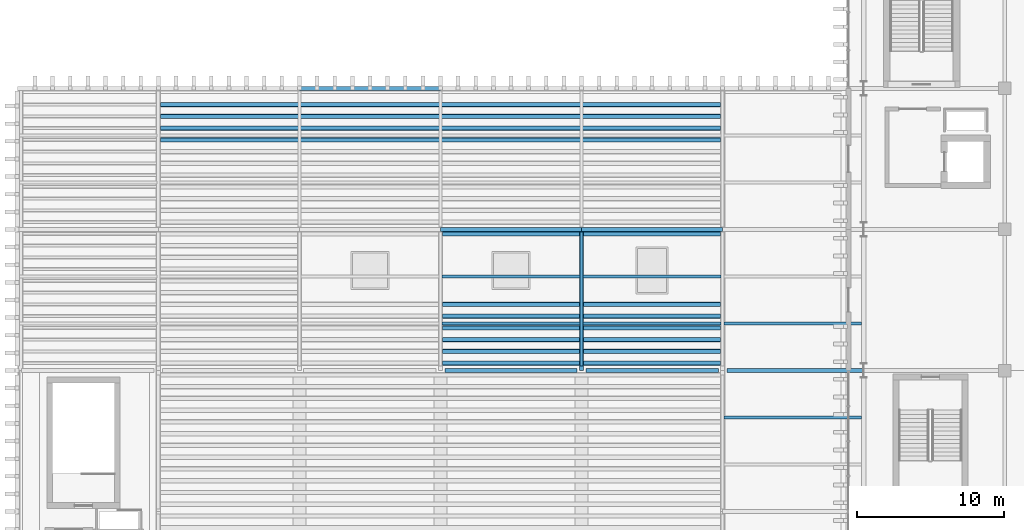
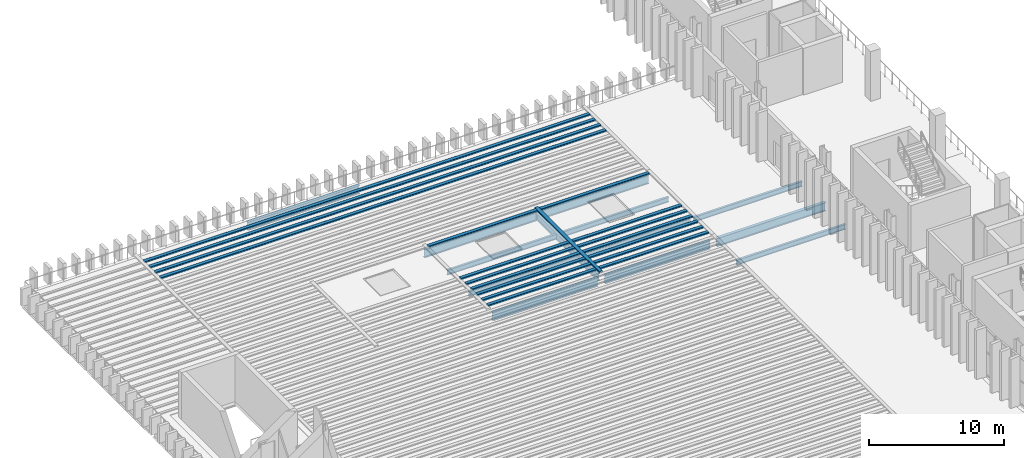
# One storey, part 15 of 92: 19 members, 13 beams.
"""IFC4 building model written with IfcOpenShell, lengths in metres."""

import ifcopenshell
import ifcopenshell.guid

model = None  # the IFC model being written
_history = None  # IfcOwnerHistory: only IFC2X3 demands one
_inside = {}  # id of a spatial element -> (the spatial element, [elements in it])
_under = {}  # id of a project, library or spatial element -> (it, [spatial elements below it])
_declared = {}  # id of a project -> (the project, [libraries it declares])
_typed = {}  # id of a type object -> (the type object, [elements of that type])
_made_of = {}  # id of a material, layer set ... -> (it, [elements and type objects made of it])


def new_model(schema):
    """Start an empty IFC model of exactly this schema.

    Asked for "IFC4X3", IfcOpenShell would pick the latest addendum, in which some entities
    have other attributes; the version numbers below select the first issue.
    IFC2X3 requires an IfcOwnerHistory on every rooted entity: one is made here for all.
    """
    global model, _history
    if schema == "IFC4X3":
        model = ifcopenshell.file(schema_version=(4, 3, 0, 0))
    else:
        model = ifcopenshell.file(schema=schema)
    _inside.clear()
    _under.clear()
    _declared.clear()
    _typed.clear()
    _made_of.clear()
    _history = None
    if model.schema == "IFC2X3":
        org = make("IfcOrganization", Name="unknown")
        user = make(
            "IfcPersonAndOrganization",
            ThePerson=make("IfcPerson", FamilyName="unknown"),
            TheOrganization=org,
        )
        app = make(
            "IfcApplication",
            ApplicationDeveloper=org,
            Version="unknown",
            ApplicationFullName="unknown",
            ApplicationIdentifier="unknown",
        )
        _history = make(
            "IfcOwnerHistory",
            OwningUser=user,
            OwningApplication=app,
            ChangeAction="ADDED",
            CreationDate=0,
        )
    return model


def make(cls, **values):
    """One entity of the class cls with the attributes given. An attribute that is None is left unset."""
    return model.create_entity(
        cls, **{name: value for name, value in values.items() if value is not None}
    )


def rooted(cls, **values):
    """An entity with a GlobalId (a new one), such as an element, a storey or a relation."""
    return make(cls, GlobalId=ifcopenshell.guid.new(), OwnerHistory=_history, **values)


def si_unit(unit_type, name, prefix=None):
    """IfcSIUnit, for example si_unit("LENGTHUNIT", "METRE", prefix="MILLI")."""
    return make("IfcSIUnit", UnitType=unit_type, Prefix=prefix, Name=name)


def assignment(units):
    """IfcUnitAssignment: the units of a project."""
    return None if units is None else make("IfcUnitAssignment", Units=units)


def point(xyz):
    """IfcCartesianPoint."""
    return None if xyz is None else make("IfcCartesianPoint", Coordinates=xyz)


def direction(xyz):
    """IfcDirection."""
    return None if xyz is None else make("IfcDirection", DirectionRatios=xyz)


def frame(location, z_axis=None, x_axis=None):
    """IfcAxis2Placement3D, a coordinate frame: its origin and axes. An axis left out is left unset."""
    return make(
        "IfcAxis2Placement3D",
        Location=point(location),
        Axis=direction(z_axis),
        RefDirection=direction(x_axis),
    )


def frame_2d(location, x_axis=None):
    """IfcAxis2Placement2D, a coordinate frame in the plane: its origin and x axis."""
    return make(
        "IfcAxis2Placement2D", Location=point(location), RefDirection=direction(x_axis)
    )


def origin():
    """The frame at (0, 0, 0) with its axes left unset."""
    return frame((0.0, 0.0, 0.0))


def origin_2d():
    """The frame at (0, 0) in the plane with its x axis left unset."""
    return frame_2d((0.0, 0.0))


def place(relative_to, where):
    """IfcLocalPlacement: puts the frame where relative to a parent placement (None: the world)."""
    return make(
        "IfcLocalPlacement", PlacementRelTo=relative_to, RelativePlacement=where
    )


def context(
    kind, dimensions, precision=None, world=None, true_north=None, identifier=None
):
    """IfcGeometricRepresentationContext, for example the 3D "Model" context."""
    return make(
        "IfcGeometricRepresentationContext",
        ContextIdentifier=identifier,
        ContextType=kind,
        CoordinateSpaceDimension=dimensions,
        Precision=precision,
        WorldCoordinateSystem=world,
        TrueNorth=true_north,
    )


def subcontext(parent, identifier, kind, view, scale=None):
    """IfcGeometricRepresentationSubContext, for example "Body" below "Model"."""
    return make(
        "IfcGeometricRepresentationSubContext",
        ContextIdentifier=identifier,
        ContextType=kind,
        ParentContext=parent,
        TargetScale=scale,
        TargetView=view,
    )


def project(units=None, contexts=None):
    """IfcProject with its units and contexts."""
    return rooted(
        "IfcProject",
        Name="project",
        RepresentationContexts=contexts,
        UnitsInContext=assignment(units),
    )


def spatial(cls, under=None, at=None, **own):
    """A site, building, storey or space (cls), placed at a placement, below another one or the project."""
    s = rooted(cls, ObjectPlacement=at, **own)
    if under is not None:
        _under.setdefault(under.id(), (under, []))[1].append(s)
    return s


def profile(cls, at=None, kind="AREA", **sizes):
    """A parametric profile (cls). Its sizes go by their IFC names, for example OverallWidth=200.0."""
    return make(cls, ProfileType=kind, Position=at, **sizes)


def hollow_rectangle(**sizes):
    """IfcRectangleHollowProfileDef."""
    return profile("IfcRectangleHollowProfileDef", **sizes)


def i_section(**sizes):
    """IfcIShapeProfileDef."""
    return profile("IfcIShapeProfileDef", **sizes)


def extrude(swept, where, along, depth):
    """IfcExtrudedAreaSolid: the profile swept, set in the frame where, extruded along a direction by depth."""
    return make(
        "IfcExtrudedAreaSolid",
        SweptArea=swept,
        Position=where,
        ExtrudedDirection=direction(along),
        Depth=depth,
    )


def shape(context_of_items, identifier, shape_type, items):
    """IfcShapeRepresentation: the items that make up one representation, for example the "Body"."""
    return make(
        "IfcShapeRepresentation",
        ContextOfItems=context_of_items,
        RepresentationIdentifier=identifier,
        RepresentationType=shape_type,
        Items=items,
    )


def material(Name=None, Category=None):
    """IfcMaterial."""
    return make("IfcMaterial", Name=Name, Category=Category)


def material_profile(
    of_material, cross_section, Name=None, Category=None, Priority=None
):
    """IfcMaterialProfile: a cross section and its material."""
    return make(
        "IfcMaterialProfile",
        Name=Name,
        Material=of_material,
        Profile=cross_section,
        Priority=Priority,
        Category=Category,
    )


def profile_set(profiles, Name=None, composite=None):
    """IfcMaterialProfileSet."""
    return make(
        "IfcMaterialProfileSet",
        Name=Name,
        MaterialProfiles=profiles,
        CompositeProfile=composite,
    )


def made_of(thing, what):
    """Note that an element or type object is made of a material, layer set ...; save() writes the relation."""
    if what is not None:
        _made_of.setdefault(what.id(), (what, []))[1].append(thing)
    return thing


def type_object(cls, material=None, **own):
    """A type object (cls), such as IfcWallType, which elements share."""
    return made_of(rooted(cls, **own), material)


def element(
    cls,
    number,
    at=None,
    inside=None,
    cuts=None,
    type_object=None,
    material=None,
    context=None,
    identifier="Body",
    shape_type=None,
    held_by="IfcProductDefinitionShape",
    body=None,
    shapes=None,
    **own,
):
    """One element of the class cls, such as IfcWall. Its Tag is "e" and its number.

    at: its placement. inside: the storey or other place that contains it. cuts: it is an
    opening in that element (IfcRelVoidsElement). A single representation is given by context,
    identifier, shape_type and body (its items); several are given by shapes. held_by: the class
    of the entity that holds the representations. save() writes the other relations.
    """
    e = rooted(cls, Tag="e%d" % number, ObjectPlacement=at, **own)
    if body is not None:
        shapes = [shape(context, identifier, shape_type, body)]
    if shapes is not None:
        e.Representation = make(held_by, Representations=shapes)
    if inside is not None:
        _inside.setdefault(inside.id(), (inside, []))[1].append(e)
    if cuts is not None:
        rooted(
            "IfcRelVoidsElement", RelatingBuildingElement=cuts, RelatedOpeningElement=e
        )
    if type_object is not None:
        _typed.setdefault(type_object.id(), (type_object, []))[1].append(e)
    return made_of(e, material)


def aggregate(whole, parts):
    """IfcRelAggregates: a whole, such as a stair, and the parts it consists of."""
    return rooted("IfcRelAggregates", RelatingObject=whole, RelatedObjects=parts)


def save(model, path):
    """Write the relations noted so far, then the file.

    IfcRelAggregates (storeys below a building ...), IfcRelContainedInSpatialStructure (elements
    in a storey), IfcRelDefinesByType, IfcRelAssociatesMaterial and IfcRelDeclares: one each for
    every whole, place, type object, material and project.
    """
    for whole, parts in _under.values():
        aggregate(whole, parts)
    for where, things in _inside.values():
        rooted(
            "IfcRelContainedInSpatialStructure",
            RelatedElements=things,
            RelatingStructure=where,
        )
    for kind, things in _typed.values():
        rooted("IfcRelDefinesByType", RelatedObjects=things, RelatingType=kind)
    for what, things in _made_of.values():
        rooted("IfcRelAssociatesMaterial", RelatedObjects=things, RelatingMaterial=what)
    for by, libraries in _declared.values():
        rooted("IfcRelDeclares", RelatingContext=by, RelatedDefinitions=libraries)
    model.write(path)


model = new_model("IFC4")

# Units and contexts
model_context = context("Model", 3, precision=1e-05, world=origin(), true_north=direction((0.0, 1.0)))
body_context = subcontext(model_context, "Body", "Model", "MODEL_VIEW")
ifc_project = project(units=[si_unit("LENGTHUNIT", "METRE"), si_unit("AREAUNIT", "SQUARE_METRE"), si_unit("VOLUMEUNIT", "CUBIC_METRE"), si_unit("PLANEANGLEUNIT", "RADIAN"), si_unit("MASSUNIT", "GRAM", prefix="KILO")], contexts=[model_context])

# Site, building, storey
site_placement = place(None, origin())
site = spatial("IfcSite", under=ifc_project, at=site_placement, CompositionType="ELEMENT")
building_placement = place(site_placement, origin())
building = spatial("IfcBuilding", under=site, at=building_placement, Name="Caelomonte Colonnade Arena", CompositionType="ELEMENT")
storey_placement = place(building_placement, frame((0.0, 0.0, 9.60009765625)))
storey = spatial("IfcBuildingStorey", under=building, at=storey_placement, Name="L02", CompositionType="ELEMENT", Elevation=9.60009765625)

# Beams
ifc_material_1 = material(Name="Wide-flange steel ASTM A992 Grade 50", Category="steel")
ifc_material_profile_1 = material_profile(ifc_material_1, i_section(OverallWidth=0.228271484375, OverallDepth=0.607177734375, WebThickness=0.01123046875, FlangeThickness=0.017333984375, FilletRadius=0.0126953125, at=origin_2d()), Name="W24X76")
ifc_profile_set_1 = profile_set([ifc_material_profile_1], Name="Wide-flange steel ASTM A992 Grade 50")
beam_type_1 = type_object("IfcBeamType", Name="STR-BM-GIRD24", PredefinedType="BEAM", material=ifc_profile_set_1)
beam_1_placement = place(storey_placement, frame((38.39990234375, 67.491943359375, -0.58349609375), z_axis=(0.0, 1.0, 0.0), x_axis=(-1.0, 0.0, 0.0)))
element("IfcBeam", 1, at=beam_1_placement, inside=storey, type_object=beam_type_1, Name="L02 girder BMY-L02-0384-0672", PredefinedType="BEAM", context=body_context, shape_type="SweptSolid", body=[
    extrude(i_section(OverallWidth=0.228271484375, OverallDepth=0.607177734375, WebThickness=0.01123046875, FlangeThickness=0.017333984375, FilletRadius=0.0126953125, at=origin_2d()), origin(), (0.0, 0.0, 1.0), 9.137939453125),
])
ifc_material_profile_2 = material_profile(ifc_material_1, i_section(OverallWidth=0.2666015625, OverallDepth=0.761962890625, WebThickness=0.014404296875, FlangeThickness=0.021484375, FilletRadius=0.0166015625, at=origin_2d()), Name="W30X116")
ifc_profile_set_2 = profile_set([ifc_material_profile_2], Name="Wide-flange steel ASTM A992 Grade 50")
beam_type_2 = type_object("IfcBeamType", Name="STR-BM-GIRD30", PredefinedType="BEAM", material=ifc_profile_set_2)
beam_2_placement = place(storey_placement, frame((29.092041015625, 67.199951171875, -0.6611328125), z_axis=(1.0, 0.0, 0.0), x_axis=(0.0, 1.0, 0.0)))
element("IfcBeam", 2, at=beam_2_placement, inside=storey, type_object=beam_type_2, Name="L02 girder BMX-L02-0288-0672", PredefinedType="BEAM", context=body_context, shape_type="SweptSolid", body=[
    extrude(i_section(OverallWidth=0.2666015625, OverallDepth=0.761962890625, WebThickness=0.014404296875, FlangeThickness=0.021484375, FilletRadius=0.0166015625, at=origin_2d()), origin(), (0.0, 0.0, 1.0), 9.015869140625),
])
beam_3_placement = place(storey_placement, frame((38.69189453125, 67.199951171875, -0.6611328125), z_axis=(1.0, 0.0, 0.0), x_axis=(0.0, 1.0, 0.0)))
element("IfcBeam", 3, at=beam_3_placement, inside=storey, type_object=beam_type_2, Name="L02 girder BMX-L02-0384-0672", PredefinedType="BEAM", context=body_context, shape_type="SweptSolid", body=[
    extrude(i_section(OverallWidth=0.2666015625, OverallDepth=0.761962890625, WebThickness=0.014404296875, FlangeThickness=0.021484375, FilletRadius=0.0166015625, at=origin_2d()), origin(), (0.0, 0.0, 1.0), 9.01611328125),
])
beam_4_placement = place(storey_placement, frame((48.2919921875, 67.199951171875, -0.6611328125), z_axis=(1.0, 0.0, 0.0), x_axis=(0.0, 1.0, 0.0)))
element("IfcBeam", 4, at=beam_4_placement, inside=storey, type_object=beam_type_2, Name="L02 girder BMX-L02-0480-0672", PredefinedType="BEAM", context=body_context, shape_type="SweptSolid", body=[
    extrude(i_section(OverallWidth=0.2666015625, OverallDepth=0.761962890625, WebThickness=0.014404296875, FlangeThickness=0.021484375, FilletRadius=0.0166015625, at=origin_2d()), origin(), (0.0, 0.0, 1.0), 9.296142578125),
])
beam_5_placement = place(storey_placement, frame((28.8056640625, 76.800048828125, -0.6611328125), z_axis=(1.0, 0.0, 0.0), x_axis=(0.0, 1.0, 0.0)))
element("IfcBeam", 5, at=beam_5_placement, inside=storey, type_object=beam_type_2, Name="L02 girder BMX-L02-0288-0768", PredefinedType="BEAM", context=body_context, shape_type="SweptSolid", body=[
    extrude(i_section(OverallWidth=0.2666015625, OverallDepth=0.761962890625, WebThickness=0.014404296875, FlangeThickness=0.021484375, FilletRadius=0.0166015625, at=origin_2d()), origin(), (0.0, 0.0, 1.0), 9.588623046875),
])
for number, where, z_axis, x_axis, name in (
    (6, (38.405517578125, 76.800048828125, -0.6611328125), (1.0, 0.0, 0.0), (0.0, 1.0, 0.0), "L02 girder BMX-L02-0384-0768"),
    (7, (19.20556640625, 86.39990234375, -0.6611328125), (1.0, 0.0, 0.0), (0.0, 1.0, 0.0), "L02 girder BMX-L02-0192-0864"),
):
    element("IfcBeam", number, at=place(storey_placement, frame(where, z_axis=z_axis, x_axis=x_axis)), inside=storey, type_object=beam_type_2, Name=name, PredefinedType="BEAM", context=body_context, shape_type="SweptSolid", body=[
        extrude(i_section(OverallWidth=0.2666015625, OverallDepth=0.761962890625, WebThickness=0.014404296875, FlangeThickness=0.021484375, FilletRadius=0.0166015625, at=origin_2d()), origin(), (0.0, 0.0, 1.0), 9.5888671875),
    ])
ifc_material_profile_3 = material_profile(ifc_material_1, i_section(OverallWidth=0.1904296875, OverallDepth=0.457275390625, WebThickness=0.009033203125, FlangeThickness=0.014404296875, FilletRadius=0.01025390625, at=origin_2d()), Name="W18X50")
ifc_profile_set_3 = profile_set([ifc_material_profile_3], Name="Wide-flange steel ASTM A992 Grade 50")
beam_type_3 = type_object("IfcBeamType", Name="STR-BM-JOIST18", PredefinedType="JOIST", material=ifc_profile_set_3)
for number, where, z_axis, x_axis, name in (
    (8, (28.9091796875, 70.39990234375, -0.5087890625), (1.0, 0.0, 0.0), (0.0, 1.0, 0.0), "L02 secondary joist 1"),
    (9, (28.9091796875, 73.60009765625, -0.5087890625), (1.0, 0.0, 0.0), (0.0, 1.0, 0.0), "L02 secondary joist 2"),
):
    element("IfcBeam", number, at=place(storey_placement, frame(where, z_axis=z_axis, x_axis=x_axis)), inside=storey, type_object=beam_type_3, Name=name, PredefinedType="JOIST", context=body_context, shape_type="SweptSolid", body=[
        extrude(i_section(OverallWidth=0.1904296875, OverallDepth=0.457275390625, WebThickness=0.009033203125, FlangeThickness=0.014404296875, FilletRadius=0.01025390625, at=origin_2d()), origin(), (0.0, 0.0, 1.0), 9.381591796875),
    ])
for number, where, z_axis, x_axis, name in (
    (10, (38.509033203125, 70.39990234375, -0.5087890625), (1.0, 0.0, 0.0), (0.0, 1.0, 0.0), "L02 secondary joist 1"),
    (11, (38.509033203125, 73.60009765625, -0.5087890625), (1.0, 0.0, 0.0), (0.0, 1.0, 0.0), "L02 secondary joist 2"),
):
    element("IfcBeam", number, at=place(storey_placement, frame(where, z_axis=z_axis, x_axis=x_axis)), inside=storey, type_object=beam_type_3, Name=name, PredefinedType="JOIST", context=body_context, shape_type="SweptSolid", body=[
        extrude(i_section(OverallWidth=0.1904296875, OverallDepth=0.457275390625, WebThickness=0.009033203125, FlangeThickness=0.014404296875, FilletRadius=0.01025390625, at=origin_2d()), origin(), (0.0, 0.0, 1.0), 9.3818359375),
    ])
for number, where, z_axis, x_axis, name in (
    (12, (48.109130859375, 64.0, -0.5087890625), (1.0, 0.0, 0.0), (0.0, 1.0, 0.0), "L02 secondary joist 2"),
    (13, (48.109130859375, 70.39990234375, -0.5087890625), (1.0, 0.0, 0.0), (0.0, 1.0, 0.0), "L02 secondary joist 1"),
):
    element("IfcBeam", number, at=place(storey_placement, frame(where, z_axis=z_axis, x_axis=x_axis)), inside=storey, type_object=beam_type_3, Name=name, PredefinedType="JOIST", context=body_context, shape_type="SweptSolid", body=[
        extrude(i_section(OverallWidth=0.1904296875, OverallDepth=0.457275390625, WebThickness=0.009033203125, FlangeThickness=0.014404296875, FilletRadius=0.01025390625, at=origin_2d()), origin(), (0.0, 0.0, 1.0), 9.342041015625),
    ])

# Members
ifc_material_2 = material(Name="Steel ASTM A500 Grade C", Category="steel")
ifc_material_profile_4 = material_profile(ifc_material_2, hollow_rectangle(XDim=0.300048828125, YDim=0.14990234375, WallThickness=0.008056640625, InnerFilletRadius=0.008056640625, OuterFilletRadius=0.01611328125, at=origin_2d()), Name="HSS300X150X8")
ifc_profile_set_4 = profile_set([ifc_material_profile_4], Name="Steel ASTM A500 Grade C")
member_type = type_object("IfcMemberType", Name="STR-LW-PAR1", PredefinedType="STRUT", material=ifc_profile_set_4)
member_1_placement = place(storey_placement, frame((38.39990234375, 67.2041015625, 0.074951171875), z_axis=(0.0, 1.0, 0.0), x_axis=(-1.0, 0.0, 0.0)))
element("IfcMember", 14, at=member_1_placement, inside=storey, type_object=member_type, Name="Planted lawn parterre planter header HDR-N3", PredefinedType="STRUT", context=body_context, shape_type="SweptSolid", body=[
    extrude(hollow_rectangle(XDim=0.300048828125, YDim=0.14990234375, WallThickness=0.008056640625, InnerFilletRadius=0.008056640625, OuterFilletRadius=0.01611328125, at=origin_2d()), origin(), (0.0, 0.0, 1.0), 9.591796875),
])
member_2_placement = place(storey_placement, frame((28.946044921875, 67.699951171875, 0.074951171875), z_axis=(1.0, 0.0, 0.0), x_axis=(0.0, 1.0, 0.0)))
element("IfcMember", 15, at=member_2_placement, inside=storey, type_object=member_type, Name="Planted lawn parterre planter bar 87", PredefinedType="STRUT", context=body_context, shape_type="SweptSolid", body=[
    extrude(hollow_rectangle(XDim=0.300048828125, YDim=0.14990234375, WallThickness=0.008056640625, InnerFilletRadius=0.008056640625, OuterFilletRadius=0.01611328125, at=origin_2d()), origin(), (0.0, 0.0, 1.0), 9.307861328125),
])
member_3_placement = place(storey_placement, frame((38.5458984375, 67.699951171875, 0.074951171875), z_axis=(1.0, 0.0, 0.0), x_axis=(0.0, 1.0, 0.0)))
element("IfcMember", 16, at=member_3_placement, inside=storey, type_object=member_type, Name="Planted lawn parterre planter bar 88", PredefinedType="STRUT", context=body_context, shape_type="SweptSolid", body=[
    extrude(hollow_rectangle(XDim=0.300048828125, YDim=0.14990234375, WallThickness=0.008056640625, InnerFilletRadius=0.008056640625, OuterFilletRadius=0.01611328125, at=origin_2d()), origin(), (0.0, 0.0, 1.0), 9.30810546875),
])
member_4_placement = place(storey_placement, frame((28.946044921875, 68.5, 0.074951171875), z_axis=(1.0, 0.0, 0.0), x_axis=(0.0, 1.0, 0.0)))
element("IfcMember", 17, at=member_4_placement, inside=storey, type_object=member_type, Name="Planted lawn parterre planter bar 92", PredefinedType="STRUT", context=body_context, shape_type="SweptSolid", body=[
    extrude(hollow_rectangle(XDim=0.300048828125, YDim=0.14990234375, WallThickness=0.008056640625, InnerFilletRadius=0.008056640625, OuterFilletRadius=0.01611328125, at=origin_2d()), origin(), (0.0, 0.0, 1.0), 9.307861328125),
])
member_5_placement = place(storey_placement, frame((38.5458984375, 68.5, 0.074951171875), z_axis=(1.0, 0.0, 0.0), x_axis=(0.0, 1.0, 0.0)))
element("IfcMember", 18, at=member_5_placement, inside=storey, type_object=member_type, Name="Planted lawn parterre planter bar 93", PredefinedType="STRUT", context=body_context, shape_type="SweptSolid", body=[
    extrude(hollow_rectangle(XDim=0.300048828125, YDim=0.14990234375, WallThickness=0.008056640625, InnerFilletRadius=0.008056640625, OuterFilletRadius=0.01611328125, at=origin_2d()), origin(), (0.0, 0.0, 1.0), 9.30810546875),
])
member_6_placement = place(storey_placement, frame((28.946044921875, 69.300048828125, 0.074951171875), z_axis=(1.0, 0.0, 0.0), x_axis=(0.0, 1.0, 0.0)))
element("IfcMember", 19, at=member_6_placement, inside=storey, type_object=member_type, Name="Planted lawn parterre planter bar 97", PredefinedType="STRUT", context=body_context, shape_type="SweptSolid", body=[
    extrude(hollow_rectangle(XDim=0.300048828125, YDim=0.14990234375, WallThickness=0.008056640625, InnerFilletRadius=0.008056640625, OuterFilletRadius=0.01611328125, at=origin_2d()), origin(), (0.0, 0.0, 1.0), 9.307861328125),
])
member_7_placement = place(storey_placement, frame((38.5458984375, 69.300048828125, 0.074951171875), z_axis=(1.0, 0.0, 0.0), x_axis=(0.0, 1.0, 0.0)))
element("IfcMember", 20, at=member_7_placement, inside=storey, type_object=member_type, Name="Planted lawn parterre planter bar 98", PredefinedType="STRUT", context=body_context, shape_type="SweptSolid", body=[
    extrude(hollow_rectangle(XDim=0.300048828125, YDim=0.14990234375, WallThickness=0.008056640625, InnerFilletRadius=0.008056640625, OuterFilletRadius=0.01611328125, at=origin_2d()), origin(), (0.0, 0.0, 1.0), 9.30810546875),
])
member_8_placement = place(storey_placement, frame((28.946044921875, 70.10009765625, 0.074951171875), z_axis=(1.0, 0.0, 0.0), x_axis=(0.0, 1.0, 0.0)))
element("IfcMember", 21, at=member_8_placement, inside=storey, type_object=member_type, Name="Planted lawn parterre planter bar 102", PredefinedType="STRUT", context=body_context, shape_type="SweptSolid", body=[
    extrude(hollow_rectangle(XDim=0.300048828125, YDim=0.14990234375, WallThickness=0.008056640625, InnerFilletRadius=0.008056640625, OuterFilletRadius=0.01611328125, at=origin_2d()), origin(), (0.0, 0.0, 1.0), 9.307861328125),
])
member_9_placement = place(storey_placement, frame((38.5458984375, 70.10009765625, 0.074951171875), z_axis=(1.0, 0.0, 0.0), x_axis=(0.0, 1.0, 0.0)))
element("IfcMember", 22, at=member_9_placement, inside=storey, type_object=member_type, Name="Planted lawn parterre planter bar 103", PredefinedType="STRUT", context=body_context, shape_type="SweptSolid", body=[
    extrude(hollow_rectangle(XDim=0.300048828125, YDim=0.14990234375, WallThickness=0.008056640625, InnerFilletRadius=0.008056640625, OuterFilletRadius=0.01611328125, at=origin_2d()), origin(), (0.0, 0.0, 1.0), 9.30810546875),
])
member_10_placement = place(storey_placement, frame((28.946044921875, 70.89990234375, 0.074951171875), z_axis=(1.0, 0.0, 0.0), x_axis=(0.0, 1.0, 0.0)))
element("IfcMember", 23, at=member_10_placement, inside=storey, type_object=member_type, Name="Planted lawn parterre planter bar 107", PredefinedType="STRUT", context=body_context, shape_type="SweptSolid", body=[
    extrude(hollow_rectangle(XDim=0.300048828125, YDim=0.14990234375, WallThickness=0.008056640625, InnerFilletRadius=0.008056640625, OuterFilletRadius=0.01611328125, at=origin_2d()), origin(), (0.0, 0.0, 1.0), 9.307861328125),
])
member_11_placement = place(storey_placement, frame((38.5458984375, 70.89990234375, 0.074951171875), z_axis=(1.0, 0.0, 0.0), x_axis=(0.0, 1.0, 0.0)))
element("IfcMember", 24, at=member_11_placement, inside=storey, type_object=member_type, Name="Planted lawn parterre planter bar 108", PredefinedType="STRUT", context=body_context, shape_type="SweptSolid", body=[
    extrude(hollow_rectangle(XDim=0.300048828125, YDim=0.14990234375, WallThickness=0.008056640625, InnerFilletRadius=0.008056640625, OuterFilletRadius=0.01611328125, at=origin_2d()), origin(), (0.0, 0.0, 1.0), 9.30810546875),
])
member_12_placement = place(storey_placement, frame((28.946044921875, 71.699951171875, 0.074951171875), z_axis=(1.0, 0.0, 0.0), x_axis=(0.0, 1.0, 0.0)))
element("IfcMember", 25, at=member_12_placement, inside=storey, type_object=member_type, Name="Planted lawn parterre planter bar 112", PredefinedType="STRUT", context=body_context, shape_type="SweptSolid", body=[
    extrude(hollow_rectangle(XDim=0.300048828125, YDim=0.14990234375, WallThickness=0.008056640625, InnerFilletRadius=0.008056640625, OuterFilletRadius=0.01611328125, at=origin_2d()), origin(), (0.0, 0.0, 1.0), 9.307861328125),
])
member_13_placement = place(storey_placement, frame((38.5458984375, 71.699951171875, 0.074951171875), z_axis=(1.0, 0.0, 0.0), x_axis=(0.0, 1.0, 0.0)))
element("IfcMember", 26, at=member_13_placement, inside=storey, type_object=member_type, Name="Planted lawn parterre planter bar 113", PredefinedType="STRUT", context=body_context, shape_type="SweptSolid", body=[
    extrude(hollow_rectangle(XDim=0.300048828125, YDim=0.14990234375, WallThickness=0.008056640625, InnerFilletRadius=0.008056640625, OuterFilletRadius=0.01611328125, at=origin_2d()), origin(), (0.0, 0.0, 1.0), 9.30810546875),
])
member_14_placement = place(storey_placement, frame((28.946044921875, 76.5, 0.074951171875), z_axis=(1.0, 0.0, 0.0), x_axis=(0.0, 1.0, 0.0)))
element("IfcMember", 27, at=member_14_placement, inside=storey, type_object=member_type, Name="Planted lawn parterre planter bar 127", PredefinedType="STRUT", context=body_context, shape_type="SweptSolid", body=[
    extrude(hollow_rectangle(XDim=0.300048828125, YDim=0.14990234375, WallThickness=0.008056640625, InnerFilletRadius=0.008056640625, OuterFilletRadius=0.01611328125, at=origin_2d()), origin(), (0.0, 0.0, 1.0), 9.307861328125),
])
member_15_placement = place(storey_placement, frame((38.5458984375, 76.5, 0.074951171875), z_axis=(1.0, 0.0, 0.0), x_axis=(0.0, 1.0, 0.0)))
element("IfcMember", 28, at=member_15_placement, inside=storey, type_object=member_type, Name="Planted lawn parterre planter bar 128", PredefinedType="STRUT", context=body_context, shape_type="SweptSolid", body=[
    extrude(hollow_rectangle(XDim=0.300048828125, YDim=0.14990234375, WallThickness=0.008056640625, InnerFilletRadius=0.008056640625, OuterFilletRadius=0.01611328125, at=origin_2d()), origin(), (0.0, 0.0, 1.0), 9.30810546875),
])
for number, where, z_axis, x_axis, name in (
    (29, (9.74609375, 82.89990234375, 0.074951171875), (1.0, 0.0, 0.0), (0.0, 1.0, 0.0), "Planted lawn parterre planter bar 144"),
    (30, (9.74609375, 83.699951171875, 0.074951171875), (1.0, 0.0, 0.0), (0.0, 1.0, 0.0), "Planted lawn parterre planter bar 146"),
    (31, (9.74609375, 84.5, 0.074951171875), (1.0, 0.0, 0.0), (0.0, 1.0, 0.0), "Planted lawn parterre planter bar 148"),
    (32, (9.74609375, 85.300048828125, 0.074951171875), (1.0, 0.0, 0.0), (0.0, 1.0, 0.0), "Planted lawn parterre planter bar 150"),
):
    element("IfcMember", number, at=place(storey_placement, frame(where, z_axis=z_axis, x_axis=x_axis)), inside=storey, type_object=member_type, Name=name, PredefinedType="STRUT", context=body_context, shape_type="SweptSolid", body=[
        extrude(hollow_rectangle(XDim=0.300048828125, YDim=0.14990234375, WallThickness=0.008056640625, InnerFilletRadius=0.008056640625, OuterFilletRadius=0.01611328125, at=origin_2d()), origin(), (0.0, 0.0, 1.0), 38.10791015625),
    ])

save(model, "model.ifc")
